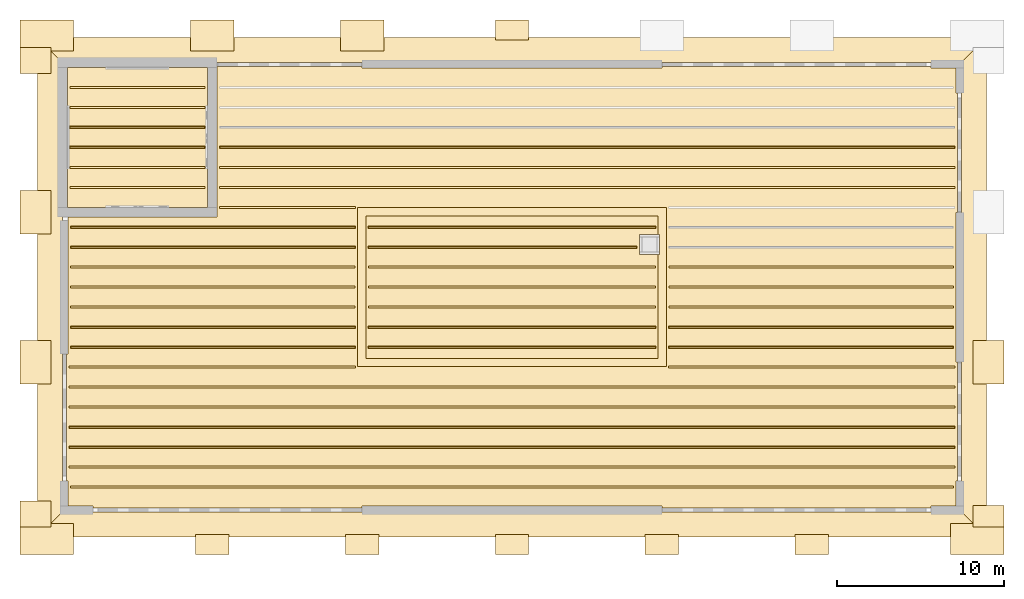
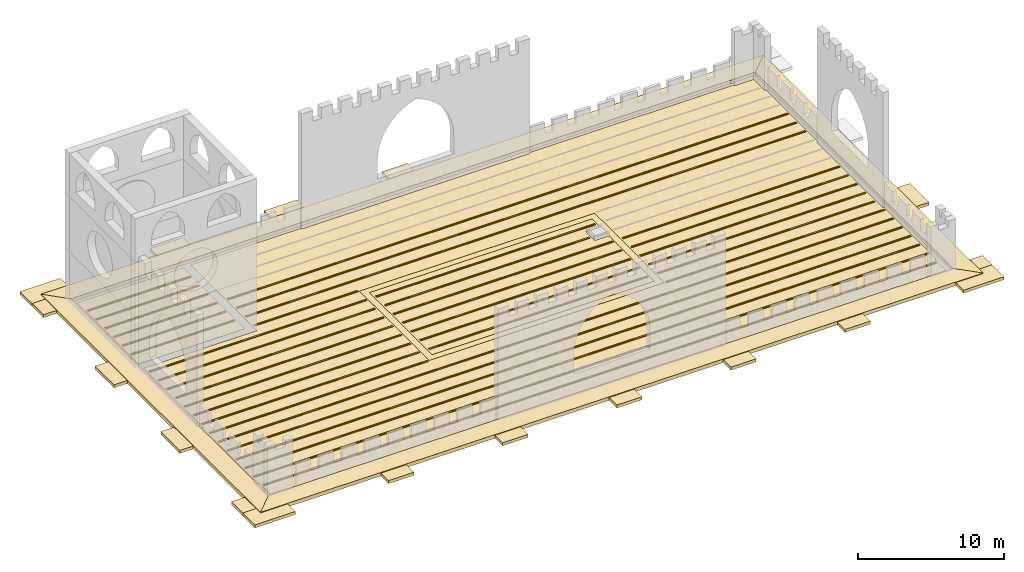
# One storey, part 3 of 4: 62 coverings.
"""IFC4 building model written with IfcOpenShell, lengths in metres."""

from ifc_helpers import new_model, si_unit, direction, frame, origin, place, context, subcontext, project, spatial, polyline, outline, extrude, material, layer, layer_set, type_object, element, save


model = new_model("IFC4")

# Units and contexts
model_context = context("Model", 3, precision=1e-05, world=origin(), true_north=direction((0.0, 1.0)))
body_context = subcontext(model_context, "Body", "Model", "MODEL_VIEW")
ifc_project = project(units=[si_unit("LENGTHUNIT", "METRE"), si_unit("AREAUNIT", "SQUARE_METRE"), si_unit("VOLUMEUNIT", "CUBIC_METRE"), si_unit("PLANEANGLEUNIT", "RADIAN"), si_unit("MASSUNIT", "GRAM", prefix="KILO")], contexts=[model_context])

# Site, building, storey
site_placement = place(None, origin())
site = spatial("IfcSite", under=ifc_project, at=site_placement, CompositionType="ELEMENT")
building_placement = place(site_placement, origin())
building = spatial("IfcBuilding", under=site, at=building_placement, Name="Baradari Gate Terminus", CompositionType="ELEMENT")
storey_placement = place(building_placement, frame((0.0, 0.0, 36.89990234375)))
storey = spatial("IfcBuildingStorey", under=building, at=storey_placement, Name="ROOF", CompositionType="ELEMENT", Elevation=36.89990234375)

# Coverings
ifc_material_1 = material(Name="Sandstone cladding", Category="masonry")
ifc_layer_1 = layer(ifc_material_1, 0.300048828125)
ifc_layer_set_1 = layer_set([ifc_layer_1], Name="Sandstone cladding")
covering_type_1 = type_object("IfcCoveringType", Name="Cornice band CB-1 300", PredefinedType="CLADDING", material=ifc_layer_set_1)
covering_1_placement = place(storey_placement, origin())
element("IfcCovering", 1, at=covering_1_placement, inside=storey, type_object=covering_type_1, Name="Roof cornice CB-1 S face", PredefinedType="CLADDING", context=body_context, shape_type="SweptSolid", body=[
    extrude(outline(polyline([(9.0, 117.0), (63.0, 117.0), (64.5, 115.5), (7.5, 115.5), (9.0, 117.0)])), origin(), (0.0, 0.0, 1.0), 0.300048828125),
])
covering_2_placement = place(storey_placement, origin())
element("IfcCovering", 2, at=covering_2_placement, inside=storey, type_object=covering_type_1, Name="Roof cornice CB-1 E face", PredefinedType="CLADDING", context=body_context, shape_type="SweptSolid", body=[
    extrude(outline(polyline([(63.0, 117.0), (63.0, 144.0), (64.5, 145.5), (64.5, 115.5), (63.0, 117.0)])), origin(), (0.0, 0.0, 1.0), 0.300048828125),
])
covering_3_placement = place(storey_placement, origin())
element("IfcCovering", 3, at=covering_3_placement, inside=storey, type_object=covering_type_1, Name="Roof cornice CB-1 N face", PredefinedType="CLADDING", context=body_context, shape_type="SweptSolid", body=[
    extrude(outline(polyline([(63.0, 144.0), (9.0, 144.0), (7.5, 145.5), (64.5, 145.5), (63.0, 144.0)])), origin(), (0.0, 0.0, 1.0), 0.300048828125),
])
covering_4_placement = place(storey_placement, origin())
element("IfcCovering", 4, at=covering_4_placement, inside=storey, type_object=covering_type_1, Name="Roof cornice CB-1 W face", PredefinedType="CLADDING", context=body_context, shape_type="SweptSolid", body=[
    extrude(outline(polyline([(9.0, 144.0), (9.0, 117.0), (7.5, 115.5), (7.5, 145.5), (9.0, 144.0)])), origin(), (0.0, 0.0, 1.0), 0.300048828125),
])
ifc_material_2 = material(Name="Light ochre laterite masonry", Category="masonry")
ifc_layer_2 = layer(ifc_material_2, 0.25)
ifc_layer_set_2 = layer_set([ifc_layer_2], Name="Light ochre laterite masonry")
covering_type_2 = type_object("IfcCoveringType", Name="Pier coping PC-1 250", PredefinedType="CLADDING", material=ifc_layer_set_2)
covering_5_placement = place(storey_placement, origin())
element("IfcCovering", 5, at=covering_5_placement, inside=storey, type_object=covering_type_2, Name="Pier coping PC-1 over the frame", PredefinedType="CLADDING", context=body_context, shape_type="SweptSolid", body=[
    extrude(outline(polyline([(19.300048828125, 144.695068359375), (16.699951171875, 144.695068359375), (16.699951171875, 146.544921875), (19.300048828125, 146.544921875), (19.300048828125, 144.695068359375)])), origin(), (0.0, 0.0, 1.0), 0.25),
])
covering_6_placement = place(storey_placement, origin())
element("IfcCovering", 6, at=covering_6_placement, inside=storey, type_object=covering_type_2, Name="Pier coping PC-1 over the frame", PredefinedType="CLADDING", context=body_context, shape_type="SweptSolid", body=[
    extrude(outline(polyline([(28.300048828125, 144.695068359375), (25.699951171875, 144.695068359375), (25.699951171875, 146.544921875), (28.300048828125, 146.544921875), (28.300048828125, 144.695068359375)])), origin(), (0.0, 0.0, 1.0), 0.25),
])
covering_7_placement = place(storey_placement, origin())
element("IfcCovering", 7, at=covering_7_placement, inside=storey, type_object=covering_type_2, Name="Pier coping PC-1 over the frame", PredefinedType="CLADDING", context=body_context, shape_type="SweptSolid", body=[
    extrude(outline(polyline([(37.0, 145.344970703125), (35.0, 145.344970703125), (35.0, 146.544921875), (37.0, 146.544921875), (37.0, 145.344970703125)])), origin(), (0.0, 0.0, 1.0), 0.25),
])
covering_8_placement = place(storey_placement, origin())
element("IfcCovering", 8, at=covering_8_placement, inside=storey, type_object=covering_type_2, Name="Pier coping PC-1 over the frame", PredefinedType="CLADDING", context=body_context, shape_type="SweptSolid", body=[
    extrude(outline(polyline([(19.0, 114.455078125), (17.0, 114.455078125), (17.0, 115.655029296875), (19.0, 115.655029296875), (19.0, 114.455078125)])), origin(), (0.0, 0.0, 1.0), 0.25),
])
covering_9_placement = place(storey_placement, origin())
element("IfcCovering", 9, at=covering_9_placement, inside=storey, type_object=covering_type_2, Name="Pier coping PC-1 over the frame", PredefinedType="CLADDING", context=body_context, shape_type="SweptSolid", body=[
    extrude(outline(polyline([(28.0, 114.455078125), (26.0, 114.455078125), (26.0, 115.655029296875), (28.0, 115.655029296875), (28.0, 114.455078125)])), origin(), (0.0, 0.0, 1.0), 0.25),
])
covering_10_placement = place(storey_placement, origin())
element("IfcCovering", 10, at=covering_10_placement, inside=storey, type_object=covering_type_2, Name="Pier coping PC-1 over the frame", PredefinedType="CLADDING", context=body_context, shape_type="SweptSolid", body=[
    extrude(outline(polyline([(46.0, 114.455078125), (44.0, 114.455078125), (44.0, 115.655029296875), (46.0, 115.655029296875), (46.0, 114.455078125)])), origin(), (0.0, 0.0, 1.0), 0.25),
])
covering_11_placement = place(storey_placement, origin())
element("IfcCovering", 11, at=covering_11_placement, inside=storey, type_object=covering_type_2, Name="Pier coping PC-1 over the frame", PredefinedType="CLADDING", context=body_context, shape_type="SweptSolid", body=[
    extrude(outline(polyline([(55.0, 114.455078125), (53.0, 114.455078125), (53.0, 115.655029296875), (55.0, 115.655029296875), (55.0, 114.455078125)])), origin(), (0.0, 0.0, 1.0), 0.25),
])
covering_12_placement = place(storey_placement, origin())
element("IfcCovering", 12, at=covering_12_placement, inside=storey, type_object=covering_type_2, Name="Pier coping PC-1 over the frame", PredefinedType="CLADDING", context=body_context, shape_type="SweptSolid", body=[
    extrude(outline(polyline([(37.0, 114.455078125), (35.0, 114.455078125), (35.0, 115.655029296875), (37.0, 115.655029296875), (37.0, 114.455078125)])), origin(), (0.0, 0.0, 1.0), 0.25),
])
covering_13_placement = place(storey_placement, origin())
element("IfcCovering", 13, at=covering_13_placement, inside=storey, type_object=covering_type_2, Name="Pier coping PC-1 over the frame", PredefinedType="CLADDING", context=body_context, shape_type="SweptSolid", body=[
    extrude(outline(polyline([(65.544921875, 124.699951171875), (63.695068359375, 124.699951171875), (63.695068359375, 127.300048828125), (65.544921875, 127.300048828125), (65.544921875, 124.699951171875)])), origin(), (0.0, 0.0, 1.0), 0.25),
])
covering_14_placement = place(storey_placement, origin())
element("IfcCovering", 14, at=covering_14_placement, inside=storey, type_object=covering_type_2, Name="Pier coping PC-1 over the frame", PredefinedType="CLADDING", context=body_context, shape_type="SweptSolid", body=[
    extrude(outline(polyline([(8.304931640625, 124.699951171875), (6.455078125, 124.699951171875), (6.455078125, 127.300048828125), (8.304931640625, 127.300048828125), (8.304931640625, 124.699951171875)])), origin(), (0.0, 0.0, 1.0), 0.25),
])
covering_15_placement = place(storey_placement, origin())
element("IfcCovering", 15, at=covering_15_placement, inside=storey, type_object=covering_type_2, Name="Pier coping PC-1 over the frame", PredefinedType="CLADDING", context=body_context, shape_type="SweptSolid", body=[
    extrude(outline(polyline([(8.304931640625, 133.699951171875), (6.455078125, 133.699951171875), (6.455078125, 136.300048828125), (8.304931640625, 136.300048828125), (8.304931640625, 133.699951171875)])), origin(), (0.0, 0.0, 1.0), 0.25),
])
covering_16_placement = place(storey_placement, origin())
element("IfcCovering", 16, at=covering_16_placement, inside=storey, type_object=covering_type_2, Name="Pier coping PC-1 over the frame", PredefinedType="CLADDING", context=body_context, shape_type="SweptSolid", body=[
    extrude(outline(polyline([(9.655029296875, 144.695068359375), (6.455078125, 144.695068359375), (6.455078125, 146.544921875), (9.655029296875, 146.544921875), (9.655029296875, 144.695068359375)])), origin(), (0.0, 0.0, 1.0), 0.25),
])
covering_17_placement = place(storey_placement, origin())
element("IfcCovering", 17, at=covering_17_placement, inside=storey, type_object=covering_type_2, Name="Pier coping PC-1 over the frame", PredefinedType="CLADDING", context=body_context, shape_type="SweptSolid", body=[
    extrude(outline(polyline([(8.304931640625, 143.344970703125), (6.455078125, 143.344970703125), (6.455078125, 144.89501953125), (8.304931640625, 144.89501953125), (8.304931640625, 143.344970703125)])), origin(), (0.0, 0.0, 1.0), 0.25),
])
covering_18_placement = place(storey_placement, origin())
element("IfcCovering", 18, at=covering_18_placement, inside=storey, type_object=covering_type_2, Name="Pier coping PC-1 over the frame", PredefinedType="CLADDING", context=body_context, shape_type="SweptSolid", body=[
    extrude(outline(polyline([(65.544921875, 114.455078125), (62.344970703125, 114.455078125), (62.344970703125, 116.304931640625), (65.544921875, 116.304931640625), (65.544921875, 114.455078125)])), origin(), (0.0, 0.0, 1.0), 0.25),
])
covering_19_placement = place(storey_placement, origin())
element("IfcCovering", 19, at=covering_19_placement, inside=storey, type_object=covering_type_2, Name="Pier coping PC-1 over the frame", PredefinedType="CLADDING", context=body_context, shape_type="SweptSolid", body=[
    extrude(outline(polyline([(65.544921875, 116.10498046875), (63.695068359375, 116.10498046875), (63.695068359375, 117.405029296875), (65.544921875, 117.405029296875), (65.544921875, 116.10498046875)])), origin(), (0.0, 0.0, 1.0), 0.25),
])
covering_20_placement = place(storey_placement, origin())
element("IfcCovering", 20, at=covering_20_placement, inside=storey, type_object=covering_type_2, Name="Pier coping PC-1 over the frame", PredefinedType="CLADDING", context=body_context, shape_type="SweptSolid", body=[
    extrude(outline(polyline([(9.655029296875, 114.455078125), (6.455078125, 114.455078125), (6.455078125, 116.304931640625), (9.655029296875, 116.304931640625), (9.655029296875, 114.455078125)])), origin(), (0.0, 0.0, 1.0), 0.25),
])
covering_21_placement = place(storey_placement, origin())
element("IfcCovering", 21, at=covering_21_placement, inside=storey, type_object=covering_type_2, Name="Pier coping PC-1 over the frame", PredefinedType="CLADDING", context=body_context, shape_type="SweptSolid", body=[
    extrude(outline(polyline([(8.304931640625, 116.10498046875), (6.455078125, 116.10498046875), (6.455078125, 117.655029296875), (8.304931640625, 117.655029296875), (8.304931640625, 116.10498046875)])), origin(), (0.0, 0.0, 1.0), 0.25),
])
ifc_material_3 = material(Name="Terracotta paving", Category="masonry")
ifc_layer_3 = layer(ifc_material_3, 0.030029296875)
ifc_layer_set_3 = layer_set([ifc_layer_3], Name="Terracotta paving")
covering_type_3 = type_object("IfcCoveringType", Name="Terracotta paving RP-1 30", PredefinedType="FLOORING", material=ifc_layer_set_3)
covering_22_placement = place(storey_placement, origin())
element("IfcCovering", 22, at=covering_22_placement, inside=storey, type_object=covering_type_3, Name="Terracotta paving RP-1 block-roof", PredefinedType="FLOORING", context=body_context, shape_type="SweptSolid", body=[
    extrude(outline(polyline([(9.25, 126.5), (9.35009765625, 126.5), (9.35009765625, 134.699951171875), (18.300048828125, 134.699951171875), (18.300048828125, 143.75), (27.0, 143.75), (27.0, 143.64990234375), (45.0, 143.64990234375), (45.0, 143.75), (61.14990234375, 143.75), (61.14990234375, 143.64990234375), (62.64990234375, 143.64990234375), (62.64990234375, 142.14990234375), (62.75, 142.14990234375), (62.75, 135.0), (62.64990234375, 135.0), (62.64990234375, 126.0), (62.75, 126.0), (62.75, 118.85009765625), (62.64990234375, 118.85009765625), (62.64990234375, 117.35009765625), (61.14990234375, 117.35009765625), (61.14990234375, 117.25), (45.0, 117.25), (45.0, 117.35009765625), (27.0, 117.35009765625), (27.0, 117.25), (10.85009765625, 117.25), (10.85009765625, 117.35009765625), (9.35009765625, 117.35009765625), (9.35009765625, 118.85009765625), (9.25, 118.85009765625), (9.25, 126.5)]), holes=[polyline([(45.27490234375, 125.72509765625), (45.27490234375, 135.27490234375), (26.72509765625, 135.27490234375), (26.72509765625, 125.72509765625), (45.27490234375, 125.72509765625)])]), origin(), (0.0, 0.0, 1.0), 0.030029296875),
])
covering_23_placement = place(storey_placement, origin())
element("IfcCovering", 23, at=covering_23_placement, inside=storey, type_object=covering_type_3, Name="Terracotta paving RP-1 block-roof", PredefinedType="FLOORING", context=body_context, shape_type="SweptSolid", body=[
    extrude(outline(polyline([(9.300048828125, 143.699951171875), (17.699951171875, 143.699951171875), (17.699951171875, 135.300048828125), (9.300048828125, 135.300048828125), (9.300048828125, 143.699951171875)])), origin(), (0.0, 0.0, 1.0), 0.030029296875),
])
covering_24_placement = place(storey_placement, origin())
element("IfcCovering", 24, at=covering_24_placement, inside=storey, type_object=covering_type_3, Name="Terracotta paving RP-1 block-roof wall tops", PredefinedType="FLOORING", context=body_context, shape_type="SweptSolid", body=[
    extrude(outline(polyline([(26.72509765625, 135.27490234375), (45.27490234375, 135.27490234375), (45.27490234375, 134.77490234375), (45.27490234375, 126.22509765625), (45.27490234375, 125.72509765625), (26.72509765625, 125.72509765625), (26.72509765625, 126.22509765625), (26.72509765625, 134.77490234375), (26.72509765625, 135.27490234375)]), holes=[polyline([(44.77490234375, 132.449951171875), (44.85009765625, 132.449951171875), (44.85009765625, 132.60009765625), (44.85009765625, 133.5), (44.85009765625, 133.64990234375), (44.77490234375, 133.64990234375), (44.77490234375, 134.77490234375), (27.22509765625, 134.77490234375), (27.22509765625, 126.22509765625), (44.77490234375, 126.22509765625), (44.77490234375, 132.449951171875)])]), origin(), (0.0, 0.0, 1.0), 0.030029296875),
])
covering_25_placement = place(storey_placement, origin())
element("IfcCovering", 25, at=covering_25_placement, inside=storey, type_object=covering_type_3, Name="Terracotta paving RP-1 block-roof-2", PredefinedType="FLOORING", context=body_context, shape_type="SweptSolid", body=[
    extrude(outline(polyline([(44.77490234375, 126.22509765625), (27.22509765625, 126.22509765625), (27.22509765625, 134.77490234375), (44.77490234375, 134.77490234375), (44.77490234375, 133.64990234375), (43.64990234375, 133.64990234375), (43.64990234375, 132.449951171875), (44.77490234375, 132.449951171875), (44.77490234375, 126.22509765625)])), origin(), (0.0, 0.0, 1.0), 0.030029296875),
])
ifc_material_4 = material(Name="Terracotta paving", Category="masonry")
ifc_layer_4 = layer(ifc_material_4, 0.050048828125)
ifc_layer_set_4 = layer_set([ifc_layer_4], Name="Terracotta paving")
covering_type_4 = type_object("IfcCoveringType", Name="Terracotta tile course RP-2 50", PredefinedType="FLOORING", material=ifc_layer_set_4)
covering_26_placement = place(storey_placement, frame((0.0, 0.0, 0.030029296875)))
element("IfcCovering", 26, at=covering_26_placement, inside=storey, type_object=covering_type_4, Name="Terracotta tile course RP-2 block-roof-P1", PredefinedType="FLOORING", context=body_context, shape_type="SweptSolid", body=[
    extrude(outline(polyline([(62.5, 118.43994140625), (62.5, 118.56005859375), (9.5, 118.56005859375), (9.5, 118.43994140625), (62.5, 118.43994140625)])), origin(), (0.0, 0.0, 1.0), 0.050048828125),
])
covering_27_placement = place(storey_placement, frame((0.0, 0.0, 0.030029296875)))
element("IfcCovering", 27, at=covering_27_placement, inside=storey, type_object=covering_type_4, Name="Terracotta tile course RP-2 block-roof-P1", PredefinedType="FLOORING", context=body_context, shape_type="SweptSolid", body=[
    extrude(outline(polyline([(62.60009765625, 119.639892578125), (62.60009765625, 119.760009765625), (9.39990234375, 119.760009765625), (9.39990234375, 119.639892578125), (62.60009765625, 119.639892578125)])), origin(), (0.0, 0.0, 1.0), 0.050048828125),
])
covering_28_placement = place(storey_placement, frame((0.0, 0.0, 0.030029296875)))
element("IfcCovering", 28, at=covering_28_placement, inside=storey, type_object=covering_type_4, Name="Terracotta tile course RP-2 block-roof-P1", PredefinedType="FLOORING", context=body_context, shape_type="SweptSolid", body=[
    extrude(outline(polyline([(62.60009765625, 120.840087890625), (62.60009765625, 120.9599609375), (9.39990234375, 120.9599609375), (9.39990234375, 120.840087890625), (62.60009765625, 120.840087890625)])), origin(), (0.0, 0.0, 1.0), 0.050048828125),
])
covering_29_placement = place(storey_placement, frame((0.0, 0.0, 0.030029296875)))
element("IfcCovering", 29, at=covering_29_placement, inside=storey, type_object=covering_type_4, Name="Terracotta tile course RP-2 block-roof-P1", PredefinedType="FLOORING", context=body_context, shape_type="SweptSolid", body=[
    extrude(outline(polyline([(62.60009765625, 122.0400390625), (62.60009765625, 122.159912109375), (9.39990234375, 122.159912109375), (9.39990234375, 122.0400390625), (62.60009765625, 122.0400390625)])), origin(), (0.0, 0.0, 1.0), 0.050048828125),
])
covering_30_placement = place(storey_placement, frame((0.0, 0.0, 0.030029296875)))
element("IfcCovering", 30, at=covering_30_placement, inside=storey, type_object=covering_type_4, Name="Terracotta tile course RP-2 block-roof-P1", PredefinedType="FLOORING", context=body_context, shape_type="SweptSolid", body=[
    extrude(outline(polyline([(62.60009765625, 123.239990234375), (62.60009765625, 123.360107421875), (9.39990234375, 123.360107421875), (9.39990234375, 123.239990234375), (62.60009765625, 123.239990234375)])), origin(), (0.0, 0.0, 1.0), 0.050048828125),
])
covering_31_placement = place(storey_placement, frame((0.0, 0.0, 0.030029296875)))
element("IfcCovering", 31, at=covering_31_placement, inside=storey, type_object=covering_type_4, Name="Terracotta tile course RP-2 block-roof-P1", PredefinedType="FLOORING", context=body_context, shape_type="SweptSolid", body=[
    extrude(outline(polyline([(62.60009765625, 124.43994140625), (62.60009765625, 124.56005859375), (9.39990234375, 124.56005859375), (9.39990234375, 124.43994140625), (62.60009765625, 124.43994140625)])), origin(), (0.0, 0.0, 1.0), 0.050048828125),
])
covering_32_placement = place(storey_placement, frame((0.0, 0.0, 0.030029296875)))
element("IfcCovering", 32, at=covering_32_placement, inside=storey, type_object=covering_type_4, Name="Terracotta tile course RP-2 block-roof-P1", PredefinedType="FLOORING", context=body_context, shape_type="SweptSolid", body=[
    extrude(outline(polyline([(26.6015625, 125.639892578125), (26.6015625, 125.760009765625), (9.39990234375, 125.760009765625), (9.39990234375, 125.639892578125), (26.6015625, 125.639892578125)])), origin(), (0.0, 0.0, 1.0), 0.050048828125),
])
covering_33_placement = place(storey_placement, frame((0.0, 0.0, 0.030029296875)))
element("IfcCovering", 33, at=covering_33_placement, inside=storey, type_object=covering_type_4, Name="Terracotta tile course RP-2 block-roof-P1", PredefinedType="FLOORING", context=body_context, shape_type="SweptSolid", body=[
    extrude(outline(polyline([(62.60009765625, 125.639892578125), (62.60009765625, 125.760009765625), (45.3984375, 125.760009765625), (45.3984375, 125.639892578125), (62.60009765625, 125.639892578125)])), origin(), (0.0, 0.0, 1.0), 0.050048828125),
])
covering_34_placement = place(storey_placement, frame((0.0, 0.0, 0.030029296875)))
element("IfcCovering", 34, at=covering_34_placement, inside=storey, type_object=covering_type_4, Name="Terracotta tile course RP-2 block-roof-P1", PredefinedType="FLOORING", context=body_context, shape_type="SweptSolid", body=[
    extrude(outline(polyline([(26.574951171875, 126.840087890625), (26.574951171875, 126.9599609375), (9.5, 126.9599609375), (9.5, 126.840087890625), (26.574951171875, 126.840087890625)])), origin(), (0.0, 0.0, 1.0), 0.050048828125),
])
covering_35_placement = place(storey_placement, frame((0.0, 0.0, 0.030029296875)))
element("IfcCovering", 35, at=covering_35_placement, inside=storey, type_object=covering_type_4, Name="Terracotta tile course RP-2 block-roof-P1", PredefinedType="FLOORING", context=body_context, shape_type="SweptSolid", body=[
    extrude(outline(polyline([(62.5, 126.840087890625), (62.5, 126.9599609375), (45.425048828125, 126.9599609375), (45.425048828125, 126.840087890625), (62.5, 126.840087890625)])), origin(), (0.0, 0.0, 1.0), 0.050048828125),
])
covering_36_placement = place(storey_placement, frame((0.0, 0.0, 0.030029296875)))
element("IfcCovering", 36, at=covering_36_placement, inside=storey, type_object=covering_type_4, Name="Terracotta tile course RP-2 block-roof-P1", PredefinedType="FLOORING", context=body_context, shape_type="SweptSolid", body=[
    extrude(outline(polyline([(26.574951171875, 128.0400390625), (26.574951171875, 128.159912109375), (9.5, 128.159912109375), (9.5, 128.0400390625), (26.574951171875, 128.0400390625)])), origin(), (0.0, 0.0, 1.0), 0.050048828125),
])
covering_37_placement = place(storey_placement, frame((0.0, 0.0, 0.030029296875)))
element("IfcCovering", 37, at=covering_37_placement, inside=storey, type_object=covering_type_4, Name="Terracotta tile course RP-2 block-roof-P1", PredefinedType="FLOORING", context=body_context, shape_type="SweptSolid", body=[
    extrude(outline(polyline([(62.5, 128.0400390625), (62.5, 128.159912109375), (45.425048828125, 128.159912109375), (45.425048828125, 128.0400390625), (62.5, 128.0400390625)])), origin(), (0.0, 0.0, 1.0), 0.050048828125),
])
covering_38_placement = place(storey_placement, frame((0.0, 0.0, 0.030029296875)))
element("IfcCovering", 38, at=covering_38_placement, inside=storey, type_object=covering_type_4, Name="Terracotta tile course RP-2 block-roof-P1", PredefinedType="FLOORING", context=body_context, shape_type="SweptSolid", body=[
    extrude(outline(polyline([(26.574951171875, 129.239990234375), (26.574951171875, 129.360107421875), (9.5, 129.360107421875), (9.5, 129.239990234375), (26.574951171875, 129.239990234375)])), origin(), (0.0, 0.0, 1.0), 0.050048828125),
])
covering_39_placement = place(storey_placement, frame((0.0, 0.0, 0.030029296875)))
element("IfcCovering", 39, at=covering_39_placement, inside=storey, type_object=covering_type_4, Name="Terracotta tile course RP-2 block-roof-P1", PredefinedType="FLOORING", context=body_context, shape_type="SweptSolid", body=[
    extrude(outline(polyline([(62.5, 129.239990234375), (62.5, 129.360107421875), (45.425048828125, 129.360107421875), (45.425048828125, 129.239990234375), (62.5, 129.239990234375)])), origin(), (0.0, 0.0, 1.0), 0.050048828125),
])
covering_40_placement = place(storey_placement, frame((0.0, 0.0, 0.030029296875)))
element("IfcCovering", 40, at=covering_40_placement, inside=storey, type_object=covering_type_4, Name="Terracotta tile course RP-2 block-roof-P1", PredefinedType="FLOORING", context=body_context, shape_type="SweptSolid", body=[
    extrude(outline(polyline([(26.574951171875, 130.43994140625), (26.574951171875, 130.56005859375), (9.5, 130.56005859375), (9.5, 130.43994140625), (26.574951171875, 130.43994140625)])), origin(), (0.0, 0.0, 1.0), 0.050048828125),
])
covering_41_placement = place(storey_placement, frame((0.0, 0.0, 0.030029296875)))
element("IfcCovering", 41, at=covering_41_placement, inside=storey, type_object=covering_type_4, Name="Terracotta tile course RP-2 block-roof-P1", PredefinedType="FLOORING", context=body_context, shape_type="SweptSolid", body=[
    extrude(outline(polyline([(62.5, 130.43994140625), (62.5, 130.56005859375), (45.425048828125, 130.56005859375), (45.425048828125, 130.43994140625), (62.5, 130.43994140625)])), origin(), (0.0, 0.0, 1.0), 0.050048828125),
])
covering_42_placement = place(storey_placement, frame((0.0, 0.0, 0.030029296875)))
element("IfcCovering", 42, at=covering_42_placement, inside=storey, type_object=covering_type_4, Name="Terracotta tile course RP-2 block-roof-P1", PredefinedType="FLOORING", context=body_context, shape_type="SweptSolid", body=[
    extrude(outline(polyline([(26.574951171875, 131.639892578125), (26.574951171875, 131.760009765625), (9.5, 131.760009765625), (9.5, 131.639892578125), (26.574951171875, 131.639892578125)])), origin(), (0.0, 0.0, 1.0), 0.050048828125),
])
covering_43_placement = place(storey_placement, frame((0.0, 0.0, 0.030029296875)))
element("IfcCovering", 43, at=covering_43_placement, inside=storey, type_object=covering_type_4, Name="Terracotta tile course RP-2 block-roof-P1", PredefinedType="FLOORING", context=body_context, shape_type="SweptSolid", body=[
    extrude(outline(polyline([(62.5, 131.639892578125), (62.5, 131.760009765625), (45.425048828125, 131.760009765625), (45.425048828125, 131.639892578125), (62.5, 131.639892578125)])), origin(), (0.0, 0.0, 1.0), 0.050048828125),
])
covering_44_placement = place(storey_placement, frame((0.0, 0.0, 0.030029296875)))
element("IfcCovering", 44, at=covering_44_placement, inside=storey, type_object=covering_type_4, Name="Terracotta tile course RP-2 block-roof-P1", PredefinedType="FLOORING", context=body_context, shape_type="SweptSolid", body=[
    extrude(outline(polyline([(26.574951171875, 132.840087890625), (26.574951171875, 132.9599609375), (9.5, 132.9599609375), (9.5, 132.840087890625), (26.574951171875, 132.840087890625)])), origin(), (0.0, 0.0, 1.0), 0.050048828125),
])
covering_45_placement = place(storey_placement, frame((0.0, 0.0, 0.030029296875)))
element("IfcCovering", 45, at=covering_45_placement, inside=storey, type_object=covering_type_4, Name="Terracotta tile course RP-2 block-roof-P1", PredefinedType="FLOORING", context=body_context, shape_type="SweptSolid", body=[
    extrude(outline(polyline([(26.574951171875, 134.0400390625), (26.574951171875, 134.159912109375), (9.5, 134.159912109375), (9.5, 134.0400390625), (26.574951171875, 134.0400390625)])), origin(), (0.0, 0.0, 1.0), 0.050048828125),
])
covering_46_placement = place(storey_placement, frame((0.0, 0.0, 0.030029296875)))
element("IfcCovering", 46, at=covering_46_placement, inside=storey, type_object=covering_type_4, Name="Terracotta tile course RP-2 block-roof-P1", PredefinedType="FLOORING", context=body_context, shape_type="SweptSolid", body=[
    extrude(outline(polyline([(26.6015625, 135.239990234375), (26.6015625, 135.360107421875), (18.449951171875, 135.360107421875), (18.449951171875, 135.239990234375), (26.6015625, 135.239990234375)])), origin(), (0.0, 0.0, 1.0), 0.050048828125),
])
covering_47_placement = place(storey_placement, frame((0.0, 0.0, 0.030029296875)))
element("IfcCovering", 47, at=covering_47_placement, inside=storey, type_object=covering_type_4, Name="Terracotta tile course RP-2 block-roof-P1", PredefinedType="FLOORING", context=body_context, shape_type="SweptSolid", body=[
    extrude(outline(polyline([(62.60009765625, 136.43994140625), (62.60009765625, 136.56005859375), (18.449951171875, 136.56005859375), (18.449951171875, 136.43994140625), (62.60009765625, 136.43994140625)])), origin(), (0.0, 0.0, 1.0), 0.050048828125),
])
covering_48_placement = place(storey_placement, frame((0.0, 0.0, 0.030029296875)))
element("IfcCovering", 48, at=covering_48_placement, inside=storey, type_object=covering_type_4, Name="Terracotta tile course RP-2 block-roof-P1", PredefinedType="FLOORING", context=body_context, shape_type="SweptSolid", body=[
    extrude(outline(polyline([(62.60009765625, 137.639892578125), (62.60009765625, 137.760009765625), (18.449951171875, 137.760009765625), (18.449951171875, 137.639892578125), (62.60009765625, 137.639892578125)])), origin(), (0.0, 0.0, 1.0), 0.050048828125),
])
covering_49_placement = place(storey_placement, frame((0.0, 0.0, 0.030029296875)))
element("IfcCovering", 49, at=covering_49_placement, inside=storey, type_object=covering_type_4, Name="Terracotta tile course RP-2 block-roof-P1", PredefinedType="FLOORING", context=body_context, shape_type="SweptSolid", body=[
    extrude(outline(polyline([(62.60009765625, 138.840087890625), (62.60009765625, 138.9599609375), (18.449951171875, 138.9599609375), (18.449951171875, 138.840087890625), (62.60009765625, 138.840087890625)])), origin(), (0.0, 0.0, 1.0), 0.050048828125),
])
covering_50_placement = place(storey_placement, frame((0.0, 0.0, 0.030029296875)))
element("IfcCovering", 50, at=covering_50_placement, inside=storey, type_object=covering_type_4, Name="Terracotta tile course RP-2 block-roof-P2", PredefinedType="FLOORING", context=body_context, shape_type="SweptSolid", body=[
    extrude(outline(polyline([(17.550048828125, 136.43994140625), (17.550048828125, 136.56005859375), (9.449951171875, 136.56005859375), (9.449951171875, 136.43994140625), (17.550048828125, 136.43994140625)])), origin(), (0.0, 0.0, 1.0), 0.050048828125),
])
covering_51_placement = place(storey_placement, frame((0.0, 0.0, 0.030029296875)))
element("IfcCovering", 51, at=covering_51_placement, inside=storey, type_object=covering_type_4, Name="Terracotta tile course RP-2 block-roof-P2", PredefinedType="FLOORING", context=body_context, shape_type="SweptSolid", body=[
    extrude(outline(polyline([(17.550048828125, 137.639892578125), (17.550048828125, 137.760009765625), (9.449951171875, 137.760009765625), (9.449951171875, 137.639892578125), (17.550048828125, 137.639892578125)])), origin(), (0.0, 0.0, 1.0), 0.050048828125),
])
covering_52_placement = place(storey_placement, frame((0.0, 0.0, 0.030029296875)))
element("IfcCovering", 52, at=covering_52_placement, inside=storey, type_object=covering_type_4, Name="Terracotta tile course RP-2 block-roof-P2", PredefinedType="FLOORING", context=body_context, shape_type="SweptSolid", body=[
    extrude(outline(polyline([(17.550048828125, 138.840087890625), (17.550048828125, 138.9599609375), (9.449951171875, 138.9599609375), (9.449951171875, 138.840087890625), (17.550048828125, 138.840087890625)])), origin(), (0.0, 0.0, 1.0), 0.050048828125),
])
covering_53_placement = place(storey_placement, frame((0.0, 0.0, 0.030029296875)))
element("IfcCovering", 53, at=covering_53_placement, inside=storey, type_object=covering_type_4, Name="Terracotta tile course RP-2 block-roof-P2", PredefinedType="FLOORING", context=body_context, shape_type="SweptSolid", body=[
    extrude(outline(polyline([(17.550048828125, 140.0400390625), (17.550048828125, 140.159912109375), (9.449951171875, 140.159912109375), (9.449951171875, 140.0400390625), (17.550048828125, 140.0400390625)])), origin(), (0.0, 0.0, 1.0), 0.050048828125),
])
covering_54_placement = place(storey_placement, frame((0.0, 0.0, 0.030029296875)))
element("IfcCovering", 54, at=covering_54_placement, inside=storey, type_object=covering_type_4, Name="Terracotta tile course RP-2 block-roof-P2", PredefinedType="FLOORING", context=body_context, shape_type="SweptSolid", body=[
    extrude(outline(polyline([(17.550048828125, 141.239990234375), (17.550048828125, 141.360107421875), (9.449951171875, 141.360107421875), (9.449951171875, 141.239990234375), (17.550048828125, 141.239990234375)])), origin(), (0.0, 0.0, 1.0), 0.050048828125),
])
covering_55_placement = place(storey_placement, frame((0.0, 0.0, 0.030029296875)))
element("IfcCovering", 55, at=covering_55_placement, inside=storey, type_object=covering_type_4, Name="Terracotta tile course RP-2 block-roof-P2", PredefinedType="FLOORING", context=body_context, shape_type="SweptSolid", body=[
    extrude(outline(polyline([(17.550048828125, 142.43994140625), (17.550048828125, 142.56005859375), (9.449951171875, 142.56005859375), (9.449951171875, 142.43994140625), (17.550048828125, 142.43994140625)])), origin(), (0.0, 0.0, 1.0), 0.050048828125),
])
covering_56_placement = place(storey_placement, frame((0.0, 0.0, 0.030029296875)))
element("IfcCovering", 56, at=covering_56_placement, inside=storey, type_object=covering_type_4, Name="Terracotta tile course RP-2 block-roof-2", PredefinedType="FLOORING", context=body_context, shape_type="SweptSolid", body=[
    extrude(outline(polyline([(44.625, 126.840087890625), (44.625, 126.9599609375), (27.375, 126.9599609375), (27.375, 126.840087890625), (44.625, 126.840087890625)])), origin(), (0.0, 0.0, 1.0), 0.050048828125),
])
covering_57_placement = place(storey_placement, frame((0.0, 0.0, 0.030029296875)))
element("IfcCovering", 57, at=covering_57_placement, inside=storey, type_object=covering_type_4, Name="Terracotta tile course RP-2 block-roof-2", PredefinedType="FLOORING", context=body_context, shape_type="SweptSolid", body=[
    extrude(outline(polyline([(44.625, 128.0400390625), (44.625, 128.159912109375), (27.375, 128.159912109375), (27.375, 128.0400390625), (44.625, 128.0400390625)])), origin(), (0.0, 0.0, 1.0), 0.050048828125),
])
covering_58_placement = place(storey_placement, frame((0.0, 0.0, 0.030029296875)))
element("IfcCovering", 58, at=covering_58_placement, inside=storey, type_object=covering_type_4, Name="Terracotta tile course RP-2 block-roof-2", PredefinedType="FLOORING", context=body_context, shape_type="SweptSolid", body=[
    extrude(outline(polyline([(44.625, 129.239990234375), (44.625, 129.360107421875), (27.375, 129.360107421875), (27.375, 129.239990234375), (44.625, 129.239990234375)])), origin(), (0.0, 0.0, 1.0), 0.050048828125),
])
covering_59_placement = place(storey_placement, frame((0.0, 0.0, 0.030029296875)))
element("IfcCovering", 59, at=covering_59_placement, inside=storey, type_object=covering_type_4, Name="Terracotta tile course RP-2 block-roof-2", PredefinedType="FLOORING", context=body_context, shape_type="SweptSolid", body=[
    extrude(outline(polyline([(44.625, 130.43994140625), (44.625, 130.56005859375), (27.375, 130.56005859375), (27.375, 130.43994140625), (44.625, 130.43994140625)])), origin(), (0.0, 0.0, 1.0), 0.050048828125),
])
covering_60_placement = place(storey_placement, frame((0.0, 0.0, 0.030029296875)))
element("IfcCovering", 60, at=covering_60_placement, inside=storey, type_object=covering_type_4, Name="Terracotta tile course RP-2 block-roof-2", PredefinedType="FLOORING", context=body_context, shape_type="SweptSolid", body=[
    extrude(outline(polyline([(44.625, 131.639892578125), (44.625, 131.760009765625), (27.375, 131.760009765625), (27.375, 131.639892578125), (44.625, 131.639892578125)])), origin(), (0.0, 0.0, 1.0), 0.050048828125),
])
covering_61_placement = place(storey_placement, frame((0.0, 0.0, 0.030029296875)))
element("IfcCovering", 61, at=covering_61_placement, inside=storey, type_object=covering_type_4, Name="Terracotta tile course RP-2 block-roof-2", PredefinedType="FLOORING", context=body_context, shape_type="SweptSolid", body=[
    extrude(outline(polyline([(43.5, 132.840087890625), (43.5, 132.9599609375), (27.375, 132.9599609375), (27.375, 132.840087890625), (43.5, 132.840087890625)])), origin(), (0.0, 0.0, 1.0), 0.050048828125),
])
covering_62_placement = place(storey_placement, frame((0.0, 0.0, 0.030029296875)))
element("IfcCovering", 62, at=covering_62_placement, inside=storey, type_object=covering_type_4, Name="Terracotta tile course RP-2 block-roof-2", PredefinedType="FLOORING", context=body_context, shape_type="SweptSolid", body=[
    extrude(outline(polyline([(44.625, 134.0400390625), (44.625, 134.159912109375), (27.375, 134.159912109375), (27.375, 134.0400390625), (44.625, 134.0400390625)])), origin(), (0.0, 0.0, 1.0), 0.050048828125),
])

save(model, "model.ifc")
